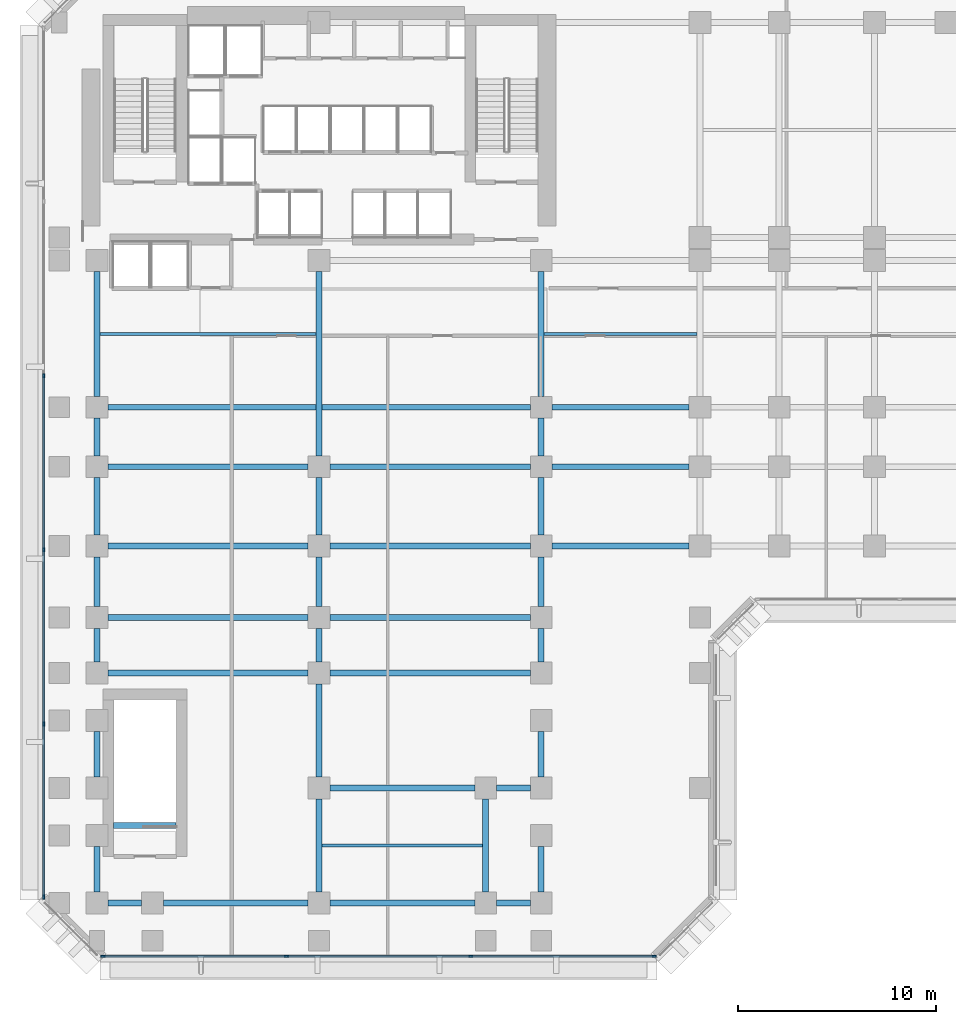
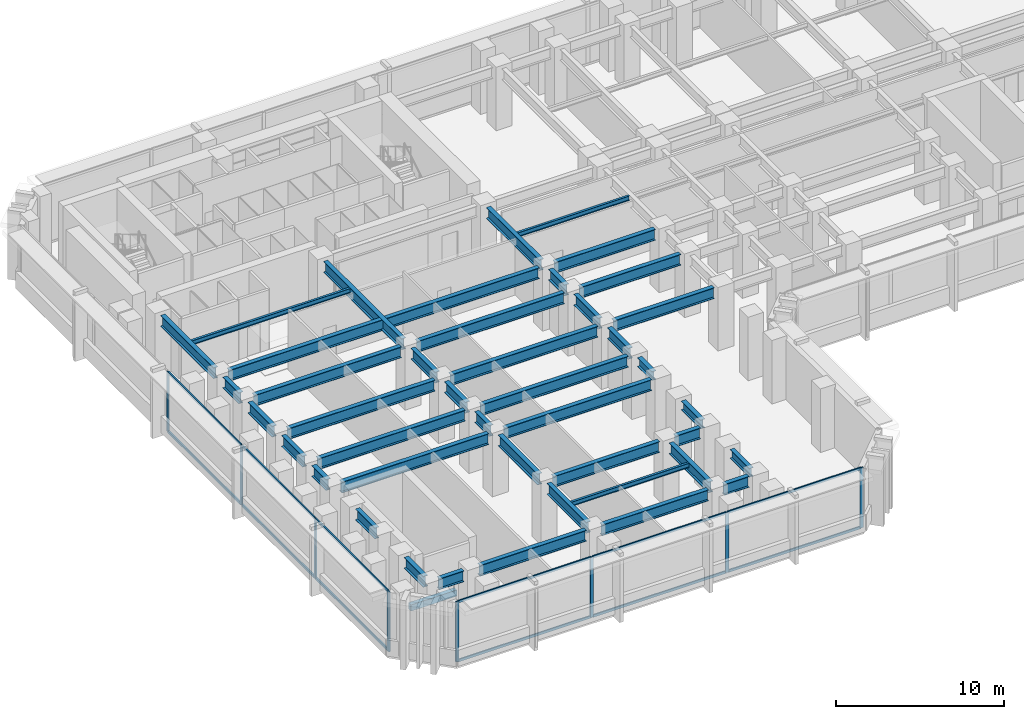
# One storey, part 2 of 14: 43 beams, 20 members, 2 elements without a shape of their own.
"""IFC4 building model written with IfcOpenShell, lengths in metres."""

import ifcopenshell
import ifcopenshell.guid

model = None  # the IFC model being written
_history = None  # IfcOwnerHistory: only IFC2X3 demands one
_inside = {}  # id of a spatial element -> (the spatial element, [elements in it])
_under = {}  # id of a project, library or spatial element -> (it, [spatial elements below it])
_declared = {}  # id of a project -> (the project, [libraries it declares])
_typed = {}  # id of a type object -> (the type object, [elements of that type])
_made_of = {}  # id of a material, layer set ... -> (it, [elements and type objects made of it])


def new_model(schema):
    """Start an empty IFC model of exactly this schema.

    Asked for "IFC4X3", IfcOpenShell would pick the latest addendum, in which some entities
    have other attributes; the version numbers below select the first issue.
    IFC2X3 requires an IfcOwnerHistory on every rooted entity: one is made here for all.
    """
    global model, _history
    if schema == "IFC4X3":
        model = ifcopenshell.file(schema_version=(4, 3, 0, 0))
    else:
        model = ifcopenshell.file(schema=schema)
    _inside.clear()
    _under.clear()
    _declared.clear()
    _typed.clear()
    _made_of.clear()
    _history = None
    if model.schema == "IFC2X3":
        org = make("IfcOrganization", Name="unknown")
        user = make(
            "IfcPersonAndOrganization",
            ThePerson=make("IfcPerson", FamilyName="unknown"),
            TheOrganization=org,
        )
        app = make(
            "IfcApplication",
            ApplicationDeveloper=org,
            Version="unknown",
            ApplicationFullName="unknown",
            ApplicationIdentifier="unknown",
        )
        _history = make(
            "IfcOwnerHistory",
            OwningUser=user,
            OwningApplication=app,
            ChangeAction="ADDED",
            CreationDate=0,
        )
    return model


def make(cls, **values):
    """One entity of the class cls with the attributes given. An attribute that is None is left unset."""
    return model.create_entity(
        cls, **{name: value for name, value in values.items() if value is not None}
    )


def rooted(cls, **values):
    """An entity with a GlobalId (a new one), such as an element, a storey or a relation."""
    return make(cls, GlobalId=ifcopenshell.guid.new(), OwnerHistory=_history, **values)


def si_unit(unit_type, name, prefix=None):
    """IfcSIUnit, for example si_unit("LENGTHUNIT", "METRE", prefix="MILLI")."""
    return make("IfcSIUnit", UnitType=unit_type, Prefix=prefix, Name=name)


def assignment(units):
    """IfcUnitAssignment: the units of a project."""
    return None if units is None else make("IfcUnitAssignment", Units=units)


def point(xyz):
    """IfcCartesianPoint."""
    return None if xyz is None else make("IfcCartesianPoint", Coordinates=xyz)


def direction(xyz):
    """IfcDirection."""
    return None if xyz is None else make("IfcDirection", DirectionRatios=xyz)


def frame(location, z_axis=None, x_axis=None):
    """IfcAxis2Placement3D, a coordinate frame: its origin and axes. An axis left out is left unset."""
    return make(
        "IfcAxis2Placement3D",
        Location=point(location),
        Axis=direction(z_axis),
        RefDirection=direction(x_axis),
    )


def frame_2d(location, x_axis=None):
    """IfcAxis2Placement2D, a coordinate frame in the plane: its origin and x axis."""
    return make(
        "IfcAxis2Placement2D", Location=point(location), RefDirection=direction(x_axis)
    )


def origin():
    """The frame at (0, 0, 0) with its axes left unset."""
    return frame((0.0, 0.0, 0.0))


def origin_2d():
    """The frame at (0, 0) in the plane with its x axis left unset."""
    return frame_2d((0.0, 0.0))


def place(relative_to, where):
    """IfcLocalPlacement: puts the frame where relative to a parent placement (None: the world)."""
    return make(
        "IfcLocalPlacement", PlacementRelTo=relative_to, RelativePlacement=where
    )


def context(
    kind, dimensions, precision=None, world=None, true_north=None, identifier=None
):
    """IfcGeometricRepresentationContext, for example the 3D "Model" context."""
    return make(
        "IfcGeometricRepresentationContext",
        ContextIdentifier=identifier,
        ContextType=kind,
        CoordinateSpaceDimension=dimensions,
        Precision=precision,
        WorldCoordinateSystem=world,
        TrueNorth=true_north,
    )


def subcontext(parent, identifier, kind, view, scale=None):
    """IfcGeometricRepresentationSubContext, for example "Body" below "Model"."""
    return make(
        "IfcGeometricRepresentationSubContext",
        ContextIdentifier=identifier,
        ContextType=kind,
        ParentContext=parent,
        TargetScale=scale,
        TargetView=view,
    )


def project(units=None, contexts=None):
    """IfcProject with its units and contexts."""
    return rooted(
        "IfcProject",
        Name="project",
        RepresentationContexts=contexts,
        UnitsInContext=assignment(units),
    )


def spatial(cls, under=None, at=None, **own):
    """A site, building, storey or space (cls), placed at a placement, below another one or the project."""
    s = rooted(cls, ObjectPlacement=at, **own)
    if under is not None:
        _under.setdefault(under.id(), (under, []))[1].append(s)
    return s


def profile(cls, at=None, kind="AREA", **sizes):
    """A parametric profile (cls). Its sizes go by their IFC names, for example OverallWidth=200.0."""
    return make(cls, ProfileType=kind, Position=at, **sizes)


def rectangle(**sizes):
    """IfcRectangleProfileDef."""
    return profile("IfcRectangleProfileDef", **sizes)


def i_section(**sizes):
    """IfcIShapeProfileDef."""
    return profile("IfcIShapeProfileDef", **sizes)


def extrude(swept, where, along, depth):
    """IfcExtrudedAreaSolid: the profile swept, set in the frame where, extruded along a direction by depth."""
    return make(
        "IfcExtrudedAreaSolid",
        SweptArea=swept,
        Position=where,
        ExtrudedDirection=direction(along),
        Depth=depth,
    )


def shape(context_of_items, identifier, shape_type, items):
    """IfcShapeRepresentation: the items that make up one representation, for example the "Body"."""
    return make(
        "IfcShapeRepresentation",
        ContextOfItems=context_of_items,
        RepresentationIdentifier=identifier,
        RepresentationType=shape_type,
        Items=items,
    )


def material(Name=None, Category=None):
    """IfcMaterial."""
    return make("IfcMaterial", Name=Name, Category=Category)


def layer(
    of_material, thickness, ventilated=None, Name=None, Category=None, Priority=None
):
    """IfcMaterialLayer: one layer of a wall or slab, of a material (None: an air gap)."""
    return make(
        "IfcMaterialLayer",
        Material=of_material,
        LayerThickness=thickness,
        IsVentilated=ventilated,
        Name=Name,
        Category=Category,
        Priority=Priority,
    )


def layer_set(layers, Name=None):
    """IfcMaterialLayerSet."""
    return make("IfcMaterialLayerSet", MaterialLayers=layers, LayerSetName=Name)


def material_profile(
    of_material, cross_section, Name=None, Category=None, Priority=None
):
    """IfcMaterialProfile: a cross section and its material."""
    return make(
        "IfcMaterialProfile",
        Name=Name,
        Material=of_material,
        Profile=cross_section,
        Priority=Priority,
        Category=Category,
    )


def profile_set(profiles, Name=None, composite=None):
    """IfcMaterialProfileSet."""
    return make(
        "IfcMaterialProfileSet",
        Name=Name,
        MaterialProfiles=profiles,
        CompositeProfile=composite,
    )


def made_of(thing, what):
    """Note that an element or type object is made of a material, layer set ...; save() writes the relation."""
    if what is not None:
        _made_of.setdefault(what.id(), (what, []))[1].append(thing)
    return thing


def type_object(cls, material=None, **own):
    """A type object (cls), such as IfcWallType, which elements share."""
    return made_of(rooted(cls, **own), material)


def element(
    cls,
    number,
    at=None,
    inside=None,
    cuts=None,
    type_object=None,
    material=None,
    context=None,
    identifier="Body",
    shape_type=None,
    held_by="IfcProductDefinitionShape",
    body=None,
    shapes=None,
    **own,
):
    """One element of the class cls, such as IfcWall. Its Tag is "e" and its number.

    at: its placement. inside: the storey or other place that contains it. cuts: it is an
    opening in that element (IfcRelVoidsElement). A single representation is given by context,
    identifier, shape_type and body (its items); several are given by shapes. held_by: the class
    of the entity that holds the representations. save() writes the other relations.
    """
    e = rooted(cls, Tag="e%d" % number, ObjectPlacement=at, **own)
    if body is not None:
        shapes = [shape(context, identifier, shape_type, body)]
    if shapes is not None:
        e.Representation = make(held_by, Representations=shapes)
    if inside is not None:
        _inside.setdefault(inside.id(), (inside, []))[1].append(e)
    if cuts is not None:
        rooted(
            "IfcRelVoidsElement", RelatingBuildingElement=cuts, RelatedOpeningElement=e
        )
    if type_object is not None:
        _typed.setdefault(type_object.id(), (type_object, []))[1].append(e)
    return made_of(e, material)


def aggregate(whole, parts):
    """IfcRelAggregates: a whole, such as a stair, and the parts it consists of."""
    return rooted("IfcRelAggregates", RelatingObject=whole, RelatedObjects=parts)


def save(model, path):
    """Write the relations noted so far, then the file.

    IfcRelAggregates (storeys below a building ...), IfcRelContainedInSpatialStructure (elements
    in a storey), IfcRelDefinesByType, IfcRelAssociatesMaterial and IfcRelDeclares: one each for
    every whole, place, type object, material and project.
    """
    for whole, parts in _under.values():
        aggregate(whole, parts)
    for where, things in _inside.values():
        rooted(
            "IfcRelContainedInSpatialStructure",
            RelatedElements=things,
            RelatingStructure=where,
        )
    for kind, things in _typed.values():
        rooted("IfcRelDefinesByType", RelatedObjects=things, RelatingType=kind)
    for what, things in _made_of.values():
        rooted("IfcRelAssociatesMaterial", RelatedObjects=things, RelatingMaterial=what)
    for by, libraries in _declared.values():
        rooted("IfcRelDeclares", RelatingContext=by, RelatedDefinitions=libraries)
    model.write(path)


model = new_model("IFC4")

# Units and contexts
model_context = context("Model", 3, precision=1e-05, world=origin(), true_north=direction((0.0, 1.0)))
body_context = subcontext(model_context, "Body", "Model", "MODEL_VIEW")
ifc_project = project(units=[si_unit("LENGTHUNIT", "METRE"), si_unit("AREAUNIT", "SQUARE_METRE"), si_unit("VOLUMEUNIT", "CUBIC_METRE"), si_unit("PLANEANGLEUNIT", "RADIAN"), si_unit("MASSUNIT", "GRAM", prefix="KILO")], contexts=[model_context])

# Site, building, storey
site_placement = place(None, origin())
site = spatial("IfcSite", under=ifc_project, at=site_placement, CompositionType="ELEMENT")
building_placement = place(site_placement, origin())
building = spatial("IfcBuilding", under=site, at=building_placement, Name="Kefirva Bronze Tower", CompositionType="ELEMENT")
storey_placement = place(building_placement, frame((0.0, 0.0, 25.739990234375)))
storey = spatial("IfcBuildingStorey", under=building, at=storey_placement, Name="L05", CompositionType="ELEMENT", Elevation=25.739990234375)

# Curtain wall, members
ifc_material_1 = material(Name="Bronze anodised aluminium", Category="aluminium")
ifc_layer = layer(ifc_material_1, 0.239990234375, Name="Bronze anodised aluminium")
ifc_layer_set = layer_set([ifc_layer], Name="Bronze anodised aluminium")
curtain_wall_type = type_object("IfcCurtainWallType", Name="Podium Double-Height Glazed Curtain Wall", PredefinedType="USERDEFINED", material=ifc_layer_set)
curtain_wall_1_placement = place(storey_placement, origin())
curtain_wall_1 = element("IfcCurtainWall", 1, at=curtain_wall_1_placement, inside=storey, type_object=curtain_wall_type, Name="L05 Curtain Wall 1", ObjectType="UNITISED CURTAIN WALL", PredefinedType="USERDEFINED")
ifc_material_profile_1 = material_profile(ifc_material_1, rectangle(XDim=0.090087890625, YDim=0.219970703125, at=origin_2d()), Name="ALU 90x220")
ifc_profile_set_1 = profile_set([ifc_material_profile_1], Name="Bronze anodised aluminium")
member_type_1 = type_object("IfcMemberType", Name="Bronze Mullion 90x220", PredefinedType="MULLION", material=ifc_profile_set_1)
member_1_placement = place(storey_placement, frame((1.10009765625, -1.8798828125, 0.0), z_axis=(0.0, 0.0, 1.0), x_axis=(0.0, 1.0, 0.0)))
member_1 = element("IfcMember", 2, at=member_1_placement, type_object=member_type_1, Name="CW-05 mullion 1", PredefinedType="MULLION", context=body_context, shape_type="SweptSolid", body=[
    extrude(rectangle(XDim=0.090087890625, YDim=0.219970703125, at=origin_2d()), origin(), (0.0, 0.0, 1.0), 4.3701171875),
])
member_2_placement = place(storey_placement, frame((10.3515625, -1.8798828125, 0.0), z_axis=(0.0, 0.0, 1.0), x_axis=(0.0, 1.0, 0.0)))
member_2 = element("IfcMember", 3, at=member_2_placement, type_object=member_type_1, Name="CW-05 mullion 2", PredefinedType="MULLION", context=body_context, shape_type="SweptSolid", body=[
    extrude(rectangle(XDim=0.090087890625, YDim=0.219970703125, at=origin_2d()), origin(), (0.0, 0.0, 1.0), 4.3701171875),
])
member_3_placement = place(storey_placement, frame((19.6484375, -1.8798828125, 0.0), z_axis=(0.0, 0.0, 1.0), x_axis=(0.0, 1.0, 0.0)))
member_3 = element("IfcMember", 4, at=member_3_placement, type_object=member_type_1, Name="CW-05 mullion 3", PredefinedType="MULLION", context=body_context, shape_type="SweptSolid", body=[
    extrude(rectangle(XDim=0.090087890625, YDim=0.219970703125, at=origin_2d()), origin(), (0.0, 0.0, 1.0), 4.3701171875),
])
member_4_placement = place(storey_placement, frame((28.89990234375, -1.8798828125, 0.0), z_axis=(0.0, 0.0, 1.0), x_axis=(0.0, 1.0, 0.0)))
member_4 = element("IfcMember", 5, at=member_4_placement, type_object=member_type_1, Name="CW-05 mullion 4", PredefinedType="MULLION", context=body_context, shape_type="SweptSolid", body=[
    extrude(rectangle(XDim=0.090087890625, YDim=0.219970703125, at=origin_2d()), origin(), (0.0, 0.0, 1.0), 4.3701171875),
])

curtain_wall_2_placement = place(storey_placement, origin())
curtain_wall_2 = element("IfcCurtainWall", 6, at=curtain_wall_2_placement, inside=storey, type_object=curtain_wall_type, Name="L05 Curtain Wall 5", ObjectType="UNITISED CURTAIN WALL", PredefinedType="USERDEFINED")
member_5_placement = place(storey_placement, frame((-1.8798828125, 27.388916015625, 0.0), z_axis=(0.0, 0.0, 1.0), x_axis=(1.0, 0.0, 0.0)))
member_5 = element("IfcMember", 7, at=member_5_placement, type_object=member_type_1, Name="CW-05 mullion 3", PredefinedType="MULLION", context=body_context, shape_type="SweptSolid", body=[
    extrude(rectangle(XDim=0.090087890625, YDim=0.219970703125, at=origin_2d()), origin(), (0.0, 0.0, 1.0), 4.3701171875),
])
member_6_placement = place(storey_placement, frame((-1.8798828125, 18.611083984375, 0.0), z_axis=(0.0, 0.0, 1.0), x_axis=(1.0, 0.0, 0.0)))
member_6 = element("IfcMember", 8, at=member_6_placement, type_object=member_type_1, Name="CW-05 mullion 4", PredefinedType="MULLION", context=body_context, shape_type="SweptSolid", body=[
    extrude(rectangle(XDim=0.090087890625, YDim=0.219970703125, at=origin_2d()), origin(), (0.0, 0.0, 1.0), 4.3701171875),
])
member_7_placement = place(storey_placement, frame((-1.8798828125, 9.8330078125, 0.0), z_axis=(0.0, 0.0, 1.0), x_axis=(1.0, 0.0, 0.0)))
member_7 = element("IfcMember", 9, at=member_7_placement, type_object=member_type_1, Name="CW-05 mullion 5", PredefinedType="MULLION", context=body_context, shape_type="SweptSolid", body=[
    extrude(rectangle(XDim=0.090087890625, YDim=0.219970703125, at=origin_2d()), origin(), (0.0, 0.0, 1.0), 4.3701171875),
])
member_8_placement = place(storey_placement, frame((-1.8798828125, 1.10009765625, 0.0), z_axis=(0.0, 0.0, 1.0), x_axis=(1.0, 0.0, 0.0)))
member_8 = element("IfcMember", 10, at=member_8_placement, type_object=member_type_1, Name="CW-05 mullion 6", PredefinedType="MULLION", context=body_context, shape_type="SweptSolid", body=[
    extrude(rectangle(XDim=0.090087890625, YDim=0.219970703125, at=origin_2d()), origin(), (0.0, 0.0, 1.0), 4.3701171875),
])

# Member
ifc_material_profile_2 = material_profile(ifc_material_1, rectangle(XDim=0.090087890625, YDim=0.179931640625, at=origin_2d()), Name="ALU 90x180")
ifc_profile_set_2 = profile_set([ifc_material_profile_2], Name="Bronze anodised aluminium")
member_type_2 = type_object("IfcMemberType", Name="Bronze Transom 90x180", PredefinedType="USERDEFINED", material=ifc_profile_set_2)
member_9_placement = place(storey_placement, frame((1.14501953125, -1.8798828125, 0.044921875), z_axis=(1.0, 0.0, 0.0), x_axis=(0.0, 1.0, 0.0)))
member_9 = element("IfcMember", 11, at=member_9_placement, type_object=member_type_2, Name="CW-05 transom 1.1", ObjectType="TRANSOM", PredefinedType="USERDEFINED", context=body_context, shape_type="SweptSolid", body=[
    extrude(rectangle(XDim=0.090087890625, YDim=0.179931640625, at=origin_2d()), origin(), (0.0, 0.0, 1.0), 9.16162109375),
])

member_10_placement = place(storey_placement, frame((1.14501953125, -1.8798828125, 4.324951171875), z_axis=(1.0, 0.0, 0.0), x_axis=(0.0, 1.0, 0.0)))
member_10 = element("IfcMember", 12, at=member_10_placement, type_object=member_type_2, Name="CW-05 transom 1.2", ObjectType="TRANSOM", PredefinedType="USERDEFINED", context=body_context, shape_type="SweptSolid", body=[
    extrude(rectangle(XDim=0.090087890625, YDim=0.179931640625, at=origin_2d()), origin(), (0.0, 0.0, 1.0), 9.16162109375),
])

member_11_placement = place(storey_placement, frame((10.396728515625, -1.8798828125, 0.044921875), z_axis=(1.0, 0.0, 0.0), x_axis=(0.0, 1.0, 0.0)))
member_11 = element("IfcMember", 13, at=member_11_placement, type_object=member_type_2, Name="CW-05 transom 2.1", ObjectType="TRANSOM", PredefinedType="USERDEFINED", context=body_context, shape_type="SweptSolid", body=[
    extrude(rectangle(XDim=0.090087890625, YDim=0.179931640625, at=origin_2d()), origin(), (0.0, 0.0, 1.0), 9.20654296875),
])

member_12_placement = place(storey_placement, frame((10.396728515625, -1.8798828125, 4.324951171875), z_axis=(1.0, 0.0, 0.0), x_axis=(0.0, 1.0, 0.0)))
member_12 = element("IfcMember", 14, at=member_12_placement, type_object=member_type_2, Name="CW-05 transom 2.2", ObjectType="TRANSOM", PredefinedType="USERDEFINED", context=body_context, shape_type="SweptSolid", body=[
    extrude(rectangle(XDim=0.090087890625, YDim=0.179931640625, at=origin_2d()), origin(), (0.0, 0.0, 1.0), 9.20654296875),
])

member_13_placement = place(storey_placement, frame((19.693359375, -1.8798828125, 0.044921875), z_axis=(1.0, 0.0, 0.0), x_axis=(0.0, 1.0, 0.0)))
member_13 = element("IfcMember", 15, at=member_13_placement, type_object=member_type_2, Name="CW-05 transom 3.1", ObjectType="TRANSOM", PredefinedType="USERDEFINED", context=body_context, shape_type="SweptSolid", body=[
    extrude(rectangle(XDim=0.090087890625, YDim=0.179931640625, at=origin_2d()), origin(), (0.0, 0.0, 1.0), 9.16162109375),
])

member_14_placement = place(storey_placement, frame((19.693359375, -1.8798828125, 4.324951171875), z_axis=(1.0, 0.0, 0.0), x_axis=(0.0, 1.0, 0.0)))
member_14 = element("IfcMember", 16, at=member_14_placement, type_object=member_type_2, Name="CW-05 transom 3.2", ObjectType="TRANSOM", PredefinedType="USERDEFINED", context=body_context, shape_type="SweptSolid", body=[
    extrude(rectangle(XDim=0.090087890625, YDim=0.179931640625, at=origin_2d()), origin(), (0.0, 0.0, 1.0), 9.16162109375),
])

aggregate(curtain_wall_1, [member_1, member_2, member_3, member_4, member_9, member_10, member_11, member_12, member_13, member_14])

member_15_placement = place(storey_placement, frame((-1.8798828125, 27.343994140625, 0.044921875), z_axis=(0.0, -1.0, 0.0), x_axis=(1.0, 0.0, 0.0)))
member_15 = element("IfcMember", 17, at=member_15_placement, type_object=member_type_2, Name="CW-05 transom 3.1", ObjectType="TRANSOM", PredefinedType="USERDEFINED", context=body_context, shape_type="SweptSolid", body=[
    extrude(rectangle(XDim=0.090087890625, YDim=0.179931640625, at=origin_2d()), origin(), (0.0, 0.0, 1.0), 8.68798828125),
])

member_16_placement = place(storey_placement, frame((-1.8798828125, 27.343994140625, 4.324951171875), z_axis=(0.0, -1.0, 0.0), x_axis=(1.0, 0.0, 0.0)))
member_16 = element("IfcMember", 18, at=member_16_placement, type_object=member_type_2, Name="CW-05 transom 3.2", ObjectType="TRANSOM", PredefinedType="USERDEFINED", context=body_context, shape_type="SweptSolid", body=[
    extrude(rectangle(XDim=0.090087890625, YDim=0.179931640625, at=origin_2d()), origin(), (0.0, 0.0, 1.0), 8.68798828125),
])

member_17_placement = place(storey_placement, frame((-1.8798828125, 18.56591796875, 0.044921875), z_axis=(0.0, -1.0, 0.0), x_axis=(1.0, 0.0, 0.0)))
member_17 = element("IfcMember", 19, at=member_17_placement, type_object=member_type_2, Name="CW-05 transom 4.1", ObjectType="TRANSOM", PredefinedType="USERDEFINED", context=body_context, shape_type="SweptSolid", body=[
    extrude(rectangle(XDim=0.090087890625, YDim=0.179931640625, at=origin_2d()), origin(), (0.0, 0.0, 1.0), 8.68798828125),
])

member_18_placement = place(storey_placement, frame((-1.8798828125, 18.56591796875, 4.324951171875), z_axis=(0.0, -1.0, 0.0), x_axis=(1.0, 0.0, 0.0)))
member_18 = element("IfcMember", 20, at=member_18_placement, type_object=member_type_2, Name="CW-05 transom 4.2", ObjectType="TRANSOM", PredefinedType="USERDEFINED", context=body_context, shape_type="SweptSolid", body=[
    extrude(rectangle(XDim=0.090087890625, YDim=0.179931640625, at=origin_2d()), origin(), (0.0, 0.0, 1.0), 8.68798828125),
])

member_19_placement = place(storey_placement, frame((-1.8798828125, 9.7880859375, 0.044921875), z_axis=(0.0, -1.0, 0.0), x_axis=(1.0, 0.0, 0.0)))
member_19 = element("IfcMember", 21, at=member_19_placement, type_object=member_type_2, Name="CW-05 transom 5.1", ObjectType="TRANSOM", PredefinedType="USERDEFINED", context=body_context, shape_type="SweptSolid", body=[
    extrude(rectangle(XDim=0.090087890625, YDim=0.179931640625, at=origin_2d()), origin(), (0.0, 0.0, 1.0), 8.64306640625),
])

member_20_placement = place(storey_placement, frame((-1.8798828125, 9.7880859375, 4.324951171875), z_axis=(0.0, -1.0, 0.0), x_axis=(1.0, 0.0, 0.0)))
member_20 = element("IfcMember", 22, at=member_20_placement, type_object=member_type_2, Name="CW-05 transom 5.2", ObjectType="TRANSOM", PredefinedType="USERDEFINED", context=body_context, shape_type="SweptSolid", body=[
    extrude(rectangle(XDim=0.090087890625, YDim=0.179931640625, at=origin_2d()), origin(), (0.0, 0.0, 1.0), 8.64306640625),
])

aggregate(curtain_wall_2, [member_5, member_6, member_7, member_8, member_15, member_16, member_17, member_18, member_19, member_20])

# Beams
ifc_material_2 = material(Name="Concrete C50/60", Category="concrete")
ifc_material_profile_3 = material_profile(ifc_material_2, rectangle(XDim=0.300048828125, YDim=0.449951171875, at=origin_2d()), Name="RC 300x450")
ifc_profile_set_3 = profile_set([ifc_material_profile_3], Name="Concrete C50/60")
beam_type_1 = type_object("IfcBeamType", Name="RC Stair Trimmer Beam 300x450", PredefinedType="BEAM", material=ifc_profile_set_3)
beam_1_placement = place(storey_placement, frame((1.64501953125, 4.699951171875, -0.22509765625), z_axis=(1.0, 0.0, 0.0), x_axis=(0.0, 1.0, 0.0)))
element("IfcBeam", 23, at=beam_1_placement, inside=storey, type_object=beam_type_1, Name="L05 Stair 3 Landing Trimmer Beam", PredefinedType="BEAM", context=body_context, shape_type="SweptSolid", body=[
    extrude(rectangle(XDim=0.300048828125, YDim=0.449951171875, at=origin_2d()), origin(), (0.0, 0.0, 1.0), 3.14990234375),
])
ifc_material_3 = material(Name="Steel S355", Category="steel")
ifc_material_profile_4 = material_profile(ifc_material_3, i_section(OverallWidth=0.159912109375, OverallDepth=0.330078125, WebThickness=0.007568359375, FlangeThickness=0.011474609375, at=origin_2d()), Name="IPE 330")
ifc_profile_set_4 = profile_set([ifc_material_profile_4], Name="Steel S355")
beam_type_2 = type_object("IfcBeamType", Name="Steel Floor Joist IPE 330", PredefinedType="JOIST", material=ifc_profile_set_4)
beam_2_placement = place(storey_placement, frame((0.949951171875, 29.5, 4.205078125), z_axis=(1.0, 0.0, 0.0), x_axis=(0.0, 1.0, 0.0)))
element("IfcBeam", 24, at=beam_2_placement, inside=storey, type_object=beam_type_2, Name="L05 JST-L05-0-295", PredefinedType="JOIST", context=body_context, shape_type="SweptSolid", body=[
    extrude(i_section(OverallWidth=0.159912109375, OverallDepth=0.330078125, WebThickness=0.007568359375, FlangeThickness=0.011474609375, at=origin_2d()), origin(), (0.0, 0.0, 1.0), 10.900146484375),
])
beam_3_placement = place(storey_placement, frame((12.14990234375, 3.699951171875, 4.205078125), z_axis=(1.0, 0.0, 0.0), x_axis=(0.0, 1.0, 0.0)))
element("IfcBeam", 25, at=beam_3_placement, inside=storey, type_object=beam_type_2, Name="L05 JST-L05-12-37", PredefinedType="JOIST", context=body_context, shape_type="SweptSolid", body=[
    extrude(i_section(OverallWidth=0.159912109375, OverallDepth=0.330078125, WebThickness=0.007568359375, FlangeThickness=0.011474609375, at=origin_2d()), origin(), (0.0, 0.0, 1.0), 8.10009765625),
])
beam_4_placement = place(storey_placement, frame((23.35009765625, 29.5, 4.205078125), z_axis=(1.0, 0.0, 0.0), x_axis=(0.0, 1.0, 0.0)))
element("IfcBeam", 26, at=beam_4_placement, inside=storey, type_object=beam_type_2, Name="L05 JST-L05-23-295", PredefinedType="JOIST", context=body_context, shape_type="SweptSolid", body=[
    extrude(i_section(OverallWidth=0.159912109375, OverallDepth=0.330078125, WebThickness=0.007568359375, FlangeThickness=0.011474609375, at=origin_2d()), origin(), (0.0, 0.0, 1.0), 7.699951171875),
])
ifc_material_profile_5 = material_profile(ifc_material_3, i_section(OverallWidth=0.300048828125, OverallDepth=0.800048828125, WebThickness=0.017578125, FlangeThickness=0.032958984375, at=origin_2d()), Name="HEB 800")
ifc_profile_set_5 = profile_set([ifc_material_profile_5], Name="Steel S355")
beam_type_3 = type_object("IfcBeamType", Name="Steel Girder HEB 800", PredefinedType="USERDEFINED", material=ifc_profile_set_5)
beam_5_placement = place(storey_placement, frame((1.35009765625, 0.800048828125, 3.969970703125), z_axis=(1.0, 0.0, 0.0), x_axis=(0.0, 1.0, 0.0)))
element("IfcBeam", 27, at=beam_5_placement, inside=storey, type_object=beam_type_3, Name="L05 BM-L05-EW-0-8", ObjectType="GIRDER", PredefinedType="USERDEFINED", context=body_context, shape_type="SweptSolid", body=[
    extrude(i_section(OverallWidth=0.300048828125, OverallDepth=0.800048828125, WebThickness=0.017578125, FlangeThickness=0.032958984375, at=origin_2d()), origin(), (0.0, 0.0, 1.0), 1.699951171875),
])
for number, where, z_axis, x_axis, name in (
    (28, (4.14990234375, 0.800048828125, 3.969970703125), (1.0, 0.0, 0.0), (0.0, 1.0, 0.0), "L05 BM-L05-EW-3-8"),
    (29, (12.550048828125, 0.800048828125, 3.969970703125), (1.0, 0.0, 0.0), (0.0, 1.0, 0.0), "L05 BM-L05-EW-12-8"),
):
    element("IfcBeam", number, at=place(storey_placement, frame(where, z_axis=z_axis, x_axis=x_axis)), inside=storey, type_object=beam_type_3, Name=name, ObjectType="GIRDER", PredefinedType="USERDEFINED", context=body_context, shape_type="SweptSolid", body=[
        extrude(i_section(OverallWidth=0.300048828125, OverallDepth=0.800048828125, WebThickness=0.017578125, FlangeThickness=0.032958984375, at=origin_2d()), origin(), (0.0, 0.0, 1.0), 7.300048828125),
    ])
beam_6_placement = place(storey_placement, frame((20.949951171875, 0.800048828125, 3.969970703125), z_axis=(1.0, 0.0, 0.0), x_axis=(0.0, 1.0, 0.0)))
element("IfcBeam", 30, at=beam_6_placement, inside=storey, type_object=beam_type_3, Name="L05 BM-L05-EW-20-8", ObjectType="GIRDER", PredefinedType="USERDEFINED", context=body_context, shape_type="SweptSolid", body=[
    extrude(i_section(OverallWidth=0.300048828125, OverallDepth=0.800048828125, WebThickness=0.017578125, FlangeThickness=0.032958984375, at=origin_2d()), origin(), (0.0, 0.0, 1.0), 1.699951171875),
])
beam_7_placement = place(storey_placement, frame((12.550048828125, 6.60009765625, 3.969970703125), z_axis=(1.0, 0.0, 0.0), x_axis=(0.0, 1.0, 0.0)))
element("IfcBeam", 31, at=beam_7_placement, inside=storey, type_object=beam_type_3, Name="L05 BM-L05-EW-12-66", ObjectType="GIRDER", PredefinedType="USERDEFINED", context=body_context, shape_type="SweptSolid", body=[
    extrude(i_section(OverallWidth=0.300048828125, OverallDepth=0.800048828125, WebThickness=0.017578125, FlangeThickness=0.032958984375, at=origin_2d()), origin(), (0.0, 0.0, 1.0), 7.300048828125),
])
beam_8_placement = place(storey_placement, frame((20.949951171875, 6.60009765625, 3.969970703125), z_axis=(1.0, 0.0, 0.0), x_axis=(0.0, 1.0, 0.0)))
element("IfcBeam", 32, at=beam_8_placement, inside=storey, type_object=beam_type_3, Name="L05 BM-L05-EW-20-66", ObjectType="GIRDER", PredefinedType="USERDEFINED", context=body_context, shape_type="SweptSolid", body=[
    extrude(i_section(OverallWidth=0.300048828125, OverallDepth=0.800048828125, WebThickness=0.017578125, FlangeThickness=0.032958984375, at=origin_2d()), origin(), (0.0, 0.0, 1.0), 1.699951171875),
])
for number, where, z_axis, x_axis, name in (
    (33, (1.35009765625, 12.39990234375, 3.969970703125), (1.0, 0.0, 0.0), (0.0, 1.0, 0.0), "L05 BM-L05-EW-0-124"),
    (34, (12.550048828125, 12.39990234375, 3.969970703125), (1.0, 0.0, 0.0), (0.0, 1.0, 0.0), "L05 BM-L05-EW-12-124"),
    (35, (1.35009765625, 15.199951171875, 3.969970703125), (1.0, 0.0, 0.0), (0.0, 1.0, 0.0), "L05 BM-L05-EW-0-152"),
    (36, (12.550048828125, 15.199951171875, 3.969970703125), (1.0, 0.0, 0.0), (0.0, 1.0, 0.0), "L05 BM-L05-EW-12-152"),
    (37, (1.35009765625, 18.800048828125, 3.969970703125), (1.0, 0.0, 0.0), (0.0, 1.0, 0.0), "L05 BM-L05-EW-0-188"),
    (38, (12.550048828125, 18.800048828125, 3.969970703125), (1.0, 0.0, 0.0), (0.0, 1.0, 0.0), "L05 BM-L05-EW-12-188"),
):
    element("IfcBeam", number, at=place(storey_placement, frame(where, z_axis=z_axis, x_axis=x_axis)), inside=storey, type_object=beam_type_3, Name=name, ObjectType="GIRDER", PredefinedType="USERDEFINED", context=body_context, shape_type="SweptSolid", body=[
        extrude(i_section(OverallWidth=0.300048828125, OverallDepth=0.800048828125, WebThickness=0.017578125, FlangeThickness=0.032958984375, at=origin_2d()), origin(), (0.0, 0.0, 1.0), 10.099853515625),
    ])
beam_9_placement = place(storey_placement, frame((23.75, 18.800048828125, 3.969970703125), z_axis=(1.0, 0.0, 0.0), x_axis=(0.0, 1.0, 0.0)))
element("IfcBeam", 39, at=beam_9_placement, inside=storey, type_object=beam_type_3, Name="L05 BM-L05-EW-23-188", ObjectType="GIRDER", PredefinedType="USERDEFINED", context=body_context, shape_type="SweptSolid", body=[
    extrude(i_section(OverallWidth=0.300048828125, OverallDepth=0.800048828125, WebThickness=0.017578125, FlangeThickness=0.032958984375, at=origin_2d()), origin(), (0.0, 0.0, 1.0), 6.89990234375),
])
for number, where, z_axis, x_axis, name in (
    (40, (1.35009765625, 22.800048828125, 3.969970703125), (1.0, 0.0, 0.0), (0.0, 1.0, 0.0), "L05 BM-L05-EW-0-228"),
    (41, (12.550048828125, 22.800048828125, 3.969970703125), (1.0, 0.0, 0.0), (0.0, 1.0, 0.0), "L05 BM-L05-EW-12-228"),
):
    element("IfcBeam", number, at=place(storey_placement, frame(where, z_axis=z_axis, x_axis=x_axis)), inside=storey, type_object=beam_type_3, Name=name, ObjectType="GIRDER", PredefinedType="USERDEFINED", context=body_context, shape_type="SweptSolid", body=[
        extrude(i_section(OverallWidth=0.300048828125, OverallDepth=0.800048828125, WebThickness=0.017578125, FlangeThickness=0.032958984375, at=origin_2d()), origin(), (0.0, 0.0, 1.0), 10.099853515625),
    ])
beam_10_placement = place(storey_placement, frame((23.75, 22.800048828125, 3.969970703125), z_axis=(1.0, 0.0, 0.0), x_axis=(0.0, 1.0, 0.0)))
element("IfcBeam", 42, at=beam_10_placement, inside=storey, type_object=beam_type_3, Name="L05 BM-L05-EW-23-228", ObjectType="GIRDER", PredefinedType="USERDEFINED", context=body_context, shape_type="SweptSolid", body=[
    extrude(i_section(OverallWidth=0.300048828125, OverallDepth=0.800048828125, WebThickness=0.017578125, FlangeThickness=0.032958984375, at=origin_2d()), origin(), (0.0, 0.0, 1.0), 6.89990234375),
])
beam_11_placement = place(storey_placement, frame((1.35009765625, 25.800048828125, 3.969970703125), z_axis=(1.0, 0.0, 0.0), x_axis=(0.0, 1.0, 0.0)))
element("IfcBeam", 43, at=beam_11_placement, inside=storey, type_object=beam_type_3, Name="L05 BM-L05-EW-0-258", ObjectType="GIRDER", PredefinedType="USERDEFINED", context=body_context, shape_type="SweptSolid", body=[
    extrude(i_section(OverallWidth=0.300048828125, OverallDepth=0.800048828125, WebThickness=0.017578125, FlangeThickness=0.032958984375, at=origin_2d()), origin(), (0.0, 0.0, 1.0), 21.2998046875),
])
beam_12_placement = place(storey_placement, frame((23.75, 25.800048828125, 3.969970703125), z_axis=(1.0, 0.0, 0.0), x_axis=(0.0, 1.0, 0.0)))
element("IfcBeam", 44, at=beam_12_placement, inside=storey, type_object=beam_type_3, Name="L05 BM-L05-EW-23-258", ObjectType="GIRDER", PredefinedType="USERDEFINED", context=body_context, shape_type="SweptSolid", body=[
    extrude(i_section(OverallWidth=0.300048828125, OverallDepth=0.800048828125, WebThickness=0.017578125, FlangeThickness=0.032958984375, at=origin_2d()), origin(), (0.0, 0.0, 1.0), 6.89990234375),
])
beam_13_placement = place(storey_placement, frame((0.800048828125, 1.35009765625, 3.969970703125), z_axis=(0.0, 1.0, 0.0), x_axis=(-1.0, 0.0, 0.0)))
element("IfcBeam", 45, at=beam_13_placement, inside=storey, type_object=beam_type_3, Name="L05 BM-L05-NS-8-0", ObjectType="GIRDER", PredefinedType="USERDEFINED", context=body_context, shape_type="SweptSolid", body=[
    extrude(i_section(OverallWidth=0.300048828125, OverallDepth=0.800048828125, WebThickness=0.017578125, FlangeThickness=0.032958984375, at=origin_2d()), origin(), (0.0, 0.0, 1.0), 2.2998046875),
])
beam_14_placement = place(storey_placement, frame((0.800048828125, 7.14990234375, 3.969970703125), z_axis=(0.0, 1.0, 0.0), x_axis=(-1.0, 0.0, 0.0)))
element("IfcBeam", 46, at=beam_14_placement, inside=storey, type_object=beam_type_3, Name="L05 BM-L05-NS-8-6", ObjectType="GIRDER", PredefinedType="USERDEFINED", context=body_context, shape_type="SweptSolid", body=[
    extrude(i_section(OverallWidth=0.300048828125, OverallDepth=0.800048828125, WebThickness=0.017578125, FlangeThickness=0.032958984375, at=origin_2d()), origin(), (0.0, 0.0, 1.0), 2.300048828125),
])
beam_15_placement = place(storey_placement, frame((0.800048828125, 12.949951171875, 3.969970703125), z_axis=(0.0, 1.0, 0.0), x_axis=(-1.0, 0.0, 0.0)))
element("IfcBeam", 47, at=beam_15_placement, inside=storey, type_object=beam_type_3, Name="L05 BM-L05-NS-8-12", ObjectType="GIRDER", PredefinedType="USERDEFINED", context=body_context, shape_type="SweptSolid", body=[
    extrude(i_section(OverallWidth=0.300048828125, OverallDepth=0.800048828125, WebThickness=0.017578125, FlangeThickness=0.032958984375, at=origin_2d()), origin(), (0.0, 0.0, 1.0), 1.699951171875),
])
beam_16_placement = place(storey_placement, frame((0.800048828125, 15.75, 3.969970703125), z_axis=(0.0, 1.0, 0.0), x_axis=(-1.0, 0.0, 0.0)))
element("IfcBeam", 48, at=beam_16_placement, inside=storey, type_object=beam_type_3, Name="L05 BM-L05-NS-8-15", ObjectType="GIRDER", PredefinedType="USERDEFINED", context=body_context, shape_type="SweptSolid", body=[
    extrude(i_section(OverallWidth=0.300048828125, OverallDepth=0.800048828125, WebThickness=0.017578125, FlangeThickness=0.032958984375, at=origin_2d()), origin(), (0.0, 0.0, 1.0), 2.5),
])
beam_17_placement = place(storey_placement, frame((0.800048828125, 19.35009765625, 3.969970703125), z_axis=(0.0, 1.0, 0.0), x_axis=(-1.0, 0.0, 0.0)))
element("IfcBeam", 49, at=beam_17_placement, inside=storey, type_object=beam_type_3, Name="L05 BM-L05-NS-8-18", ObjectType="GIRDER", PredefinedType="USERDEFINED", context=body_context, shape_type="SweptSolid", body=[
    extrude(i_section(OverallWidth=0.300048828125, OverallDepth=0.800048828125, WebThickness=0.017578125, FlangeThickness=0.032958984375, at=origin_2d()), origin(), (0.0, 0.0, 1.0), 2.89990234375),
])
beam_18_placement = place(storey_placement, frame((0.800048828125, 23.35009765625, 3.969970703125), z_axis=(0.0, 1.0, 0.0), x_axis=(-1.0, 0.0, 0.0)))
element("IfcBeam", 50, at=beam_18_placement, inside=storey, type_object=beam_type_3, Name="L05 BM-L05-NS-8-22", ObjectType="GIRDER", PredefinedType="USERDEFINED", context=body_context, shape_type="SweptSolid", body=[
    extrude(i_section(OverallWidth=0.300048828125, OverallDepth=0.800048828125, WebThickness=0.017578125, FlangeThickness=0.032958984375, at=origin_2d()), origin(), (0.0, 0.0, 1.0), 1.89990234375),
])
beam_19_placement = place(storey_placement, frame((0.800048828125, 26.35009765625, 3.969970703125), z_axis=(0.0, 1.0, 0.0), x_axis=(-1.0, 0.0, 0.0)))
element("IfcBeam", 51, at=beam_19_placement, inside=storey, type_object=beam_type_3, Name="L05 BM-L05-NS-8-25", ObjectType="GIRDER", PredefinedType="USERDEFINED", context=body_context, shape_type="SweptSolid", body=[
    extrude(i_section(OverallWidth=0.300048828125, OverallDepth=0.800048828125, WebThickness=0.017578125, FlangeThickness=0.032958984375, at=origin_2d()), origin(), (0.0, 0.0, 1.0), 6.2998046875),
])
beam_20_placement = place(storey_placement, frame((12.0, 1.35009765625, 3.969970703125), z_axis=(0.0, 1.0, 0.0), x_axis=(-1.0, 0.0, 0.0)))
element("IfcBeam", 52, at=beam_20_placement, inside=storey, type_object=beam_type_3, Name="L05 BM-L05-NS-120-0", ObjectType="GIRDER", PredefinedType="USERDEFINED", context=body_context, shape_type="SweptSolid", body=[
    extrude(i_section(OverallWidth=0.300048828125, OverallDepth=0.800048828125, WebThickness=0.017578125, FlangeThickness=0.032958984375, at=origin_2d()), origin(), (0.0, 0.0, 1.0), 4.699951171875),
])
beam_21_placement = place(storey_placement, frame((12.0, 7.14990234375, 3.969970703125), z_axis=(0.0, 1.0, 0.0), x_axis=(-1.0, 0.0, 0.0)))
element("IfcBeam", 53, at=beam_21_placement, inside=storey, type_object=beam_type_3, Name="L05 BM-L05-NS-120-6", ObjectType="GIRDER", PredefinedType="USERDEFINED", context=body_context, shape_type="SweptSolid", body=[
    extrude(i_section(OverallWidth=0.300048828125, OverallDepth=0.800048828125, WebThickness=0.017578125, FlangeThickness=0.032958984375, at=origin_2d()), origin(), (0.0, 0.0, 1.0), 4.7001953125),
])
beam_22_placement = place(storey_placement, frame((12.0, 12.949951171875, 3.969970703125), z_axis=(0.0, 1.0, 0.0), x_axis=(-1.0, 0.0, 0.0)))
element("IfcBeam", 54, at=beam_22_placement, inside=storey, type_object=beam_type_3, Name="L05 BM-L05-NS-120-12", ObjectType="GIRDER", PredefinedType="USERDEFINED", context=body_context, shape_type="SweptSolid", body=[
    extrude(i_section(OverallWidth=0.300048828125, OverallDepth=0.800048828125, WebThickness=0.017578125, FlangeThickness=0.032958984375, at=origin_2d()), origin(), (0.0, 0.0, 1.0), 1.699951171875),
])
beam_23_placement = place(storey_placement, frame((12.0, 15.75, 3.969970703125), z_axis=(0.0, 1.0, 0.0), x_axis=(-1.0, 0.0, 0.0)))
element("IfcBeam", 55, at=beam_23_placement, inside=storey, type_object=beam_type_3, Name="L05 BM-L05-NS-120-15", ObjectType="GIRDER", PredefinedType="USERDEFINED", context=body_context, shape_type="SweptSolid", body=[
    extrude(i_section(OverallWidth=0.300048828125, OverallDepth=0.800048828125, WebThickness=0.017578125, FlangeThickness=0.032958984375, at=origin_2d()), origin(), (0.0, 0.0, 1.0), 2.5),
])
beam_24_placement = place(storey_placement, frame((12.0, 19.35009765625, 3.969970703125), z_axis=(0.0, 1.0, 0.0), x_axis=(-1.0, 0.0, 0.0)))
element("IfcBeam", 56, at=beam_24_placement, inside=storey, type_object=beam_type_3, Name="L05 BM-L05-NS-120-18", ObjectType="GIRDER", PredefinedType="USERDEFINED", context=body_context, shape_type="SweptSolid", body=[
    extrude(i_section(OverallWidth=0.300048828125, OverallDepth=0.800048828125, WebThickness=0.017578125, FlangeThickness=0.032958984375, at=origin_2d()), origin(), (0.0, 0.0, 1.0), 2.89990234375),
])
beam_25_placement = place(storey_placement, frame((12.0, 23.35009765625, 3.969970703125), z_axis=(0.0, 1.0, 0.0), x_axis=(-1.0, 0.0, 0.0)))
element("IfcBeam", 57, at=beam_25_placement, inside=storey, type_object=beam_type_3, Name="L05 BM-L05-NS-120-22", ObjectType="GIRDER", PredefinedType="USERDEFINED", context=body_context, shape_type="SweptSolid", body=[
    extrude(i_section(OverallWidth=0.300048828125, OverallDepth=0.800048828125, WebThickness=0.017578125, FlangeThickness=0.032958984375, at=origin_2d()), origin(), (0.0, 0.0, 1.0), 9.2998046875),
])
beam_26_placement = place(storey_placement, frame((20.39990234375, 1.35009765625, 3.969970703125), z_axis=(0.0, 1.0, 0.0), x_axis=(-1.0, 0.0, 0.0)))
element("IfcBeam", 58, at=beam_26_placement, inside=storey, type_object=beam_type_3, Name="L05 BM-L05-NS-204-0", ObjectType="GIRDER", PredefinedType="USERDEFINED", context=body_context, shape_type="SweptSolid", body=[
    extrude(i_section(OverallWidth=0.300048828125, OverallDepth=0.800048828125, WebThickness=0.017578125, FlangeThickness=0.032958984375, at=origin_2d()), origin(), (0.0, 0.0, 1.0), 4.699951171875),
])
beam_27_placement = place(storey_placement, frame((23.199951171875, 15.75, 3.969970703125), z_axis=(0.0, 1.0, 0.0), x_axis=(-1.0, 0.0, 0.0)))
element("IfcBeam", 59, at=beam_27_placement, inside=storey, type_object=beam_type_3, Name="L05 BM-L05-NS-232-15", ObjectType="GIRDER", PredefinedType="USERDEFINED", context=body_context, shape_type="SweptSolid", body=[
    extrude(i_section(OverallWidth=0.300048828125, OverallDepth=0.800048828125, WebThickness=0.017578125, FlangeThickness=0.032958984375, at=origin_2d()), origin(), (0.0, 0.0, 1.0), 2.5),
])
beam_28_placement = place(storey_placement, frame((23.199951171875, 19.35009765625, 3.969970703125), z_axis=(0.0, 1.0, 0.0), x_axis=(-1.0, 0.0, 0.0)))
element("IfcBeam", 60, at=beam_28_placement, inside=storey, type_object=beam_type_3, Name="L05 BM-L05-NS-232-18", ObjectType="GIRDER", PredefinedType="USERDEFINED", context=body_context, shape_type="SweptSolid", body=[
    extrude(i_section(OverallWidth=0.300048828125, OverallDepth=0.800048828125, WebThickness=0.017578125, FlangeThickness=0.032958984375, at=origin_2d()), origin(), (0.0, 0.0, 1.0), 2.89990234375),
])
beam_29_placement = place(storey_placement, frame((23.199951171875, 23.35009765625, 3.969970703125), z_axis=(0.0, 1.0, 0.0), x_axis=(-1.0, 0.0, 0.0)))
element("IfcBeam", 61, at=beam_29_placement, inside=storey, type_object=beam_type_3, Name="L05 BM-L05-NS-232-22", ObjectType="GIRDER", PredefinedType="USERDEFINED", context=body_context, shape_type="SweptSolid", body=[
    extrude(i_section(OverallWidth=0.300048828125, OverallDepth=0.800048828125, WebThickness=0.017578125, FlangeThickness=0.032958984375, at=origin_2d()), origin(), (0.0, 0.0, 1.0), 1.89990234375),
])
beam_30_placement = place(storey_placement, frame((23.199951171875, 26.35009765625, 3.969970703125), z_axis=(0.0, 1.0, 0.0), x_axis=(-1.0, 0.0, 0.0)))
element("IfcBeam", 62, at=beam_30_placement, inside=storey, type_object=beam_type_3, Name="L05 BM-L05-NS-232-25", ObjectType="GIRDER", PredefinedType="USERDEFINED", context=body_context, shape_type="SweptSolid", body=[
    extrude(i_section(OverallWidth=0.300048828125, OverallDepth=0.800048828125, WebThickness=0.017578125, FlangeThickness=0.032958984375, at=origin_2d()), origin(), (0.0, 0.0, 1.0), 6.2998046875),
])
ifc_material_profile_6 = material_profile(ifc_material_3, i_section(OverallWidth=0.300048828125, OverallDepth=0.64990234375, WebThickness=0.01611328125, FlangeThickness=0.031005859375, at=origin_2d()), Name="HEB 650")
ifc_profile_set_6 = profile_set([ifc_material_profile_6], Name="Steel S355")
beam_type_4 = type_object("IfcBeamType", Name="Steel Spandrel HEB 650 Ext", PredefinedType="SPANDREL", material=ifc_profile_set_6)
beam_31_placement = place(storey_placement, frame((23.199951171875, 1.35009765625, 4.044921875), z_axis=(0.0, 1.0, 0.0), x_axis=(-1.0, 0.0, 0.0)))
element("IfcBeam", 63, at=beam_31_placement, inside=storey, type_object=beam_type_4, Name="L05 BM-L05-NS-232-0", PredefinedType="SPANDREL", context=body_context, shape_type="SweptSolid", body=[
    extrude(i_section(OverallWidth=0.300048828125, OverallDepth=0.64990234375, WebThickness=0.01611328125, FlangeThickness=0.031005859375, at=origin_2d()), origin(), (0.0, 0.0, 1.0), 2.2998046875),
])
beam_32_placement = place(storey_placement, frame((23.199951171875, 7.14990234375, 4.044921875), z_axis=(0.0, 1.0, 0.0), x_axis=(-1.0, 0.0, 0.0)))
element("IfcBeam", 64, at=beam_32_placement, inside=storey, type_object=beam_type_4, Name="L05 BM-L05-NS-232-6", PredefinedType="SPANDREL", context=body_context, shape_type="SweptSolid", body=[
    extrude(i_section(OverallWidth=0.300048828125, OverallDepth=0.64990234375, WebThickness=0.01611328125, FlangeThickness=0.031005859375, at=origin_2d()), origin(), (0.0, 0.0, 1.0), 2.300048828125),
])
beam_33_placement = place(storey_placement, frame((23.199951171875, 12.949951171875, 4.044921875), z_axis=(0.0, 1.0, 0.0), x_axis=(-1.0, 0.0, 0.0)))
element("IfcBeam", 65, at=beam_33_placement, inside=storey, type_object=beam_type_4, Name="L05 BM-L05-NS-232-12", PredefinedType="SPANDREL", context=body_context, shape_type="SweptSolid", body=[
    extrude(i_section(OverallWidth=0.300048828125, OverallDepth=0.64990234375, WebThickness=0.01611328125, FlangeThickness=0.031005859375, at=origin_2d()), origin(), (0.0, 0.0, 1.0), 1.699951171875),
])

save(model, "model.ifc")
